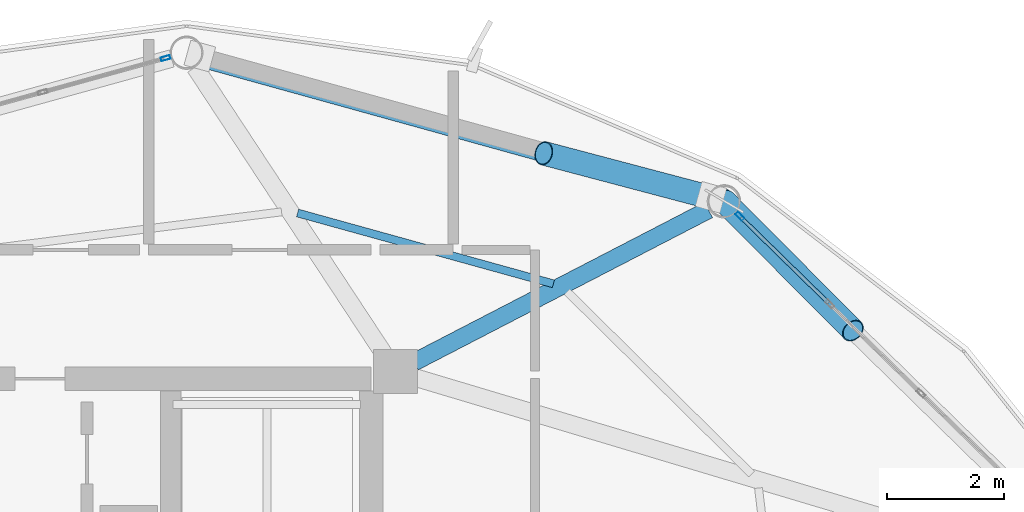
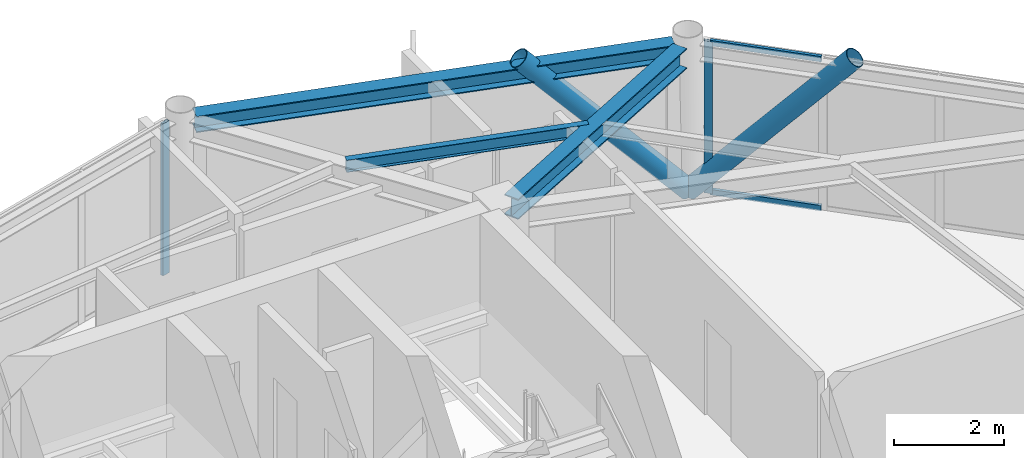
# One storey, part 20 of 27: 6 members, 3 beams, 2 elements without a shape of their own.
"""IFC4 building model written with IfcOpenShell, lengths in metres."""

import ifcopenshell
import ifcopenshell.guid

model = None  # the IFC model being written
_history = None  # IfcOwnerHistory: only IFC2X3 demands one
_inside = {}  # id of a spatial element -> (the spatial element, [elements in it])
_under = {}  # id of a project, library or spatial element -> (it, [spatial elements below it])
_declared = {}  # id of a project -> (the project, [libraries it declares])
_typed = {}  # id of a type object -> (the type object, [elements of that type])
_made_of = {}  # id of a material, layer set ... -> (it, [elements and type objects made of it])


def new_model(schema):
    """Start an empty IFC model of exactly this schema.

    Asked for "IFC4X3", IfcOpenShell would pick the latest addendum, in which some entities
    have other attributes; the version numbers below select the first issue.
    IFC2X3 requires an IfcOwnerHistory on every rooted entity: one is made here for all.
    """
    global model, _history
    if schema == "IFC4X3":
        model = ifcopenshell.file(schema_version=(4, 3, 0, 0))
    else:
        model = ifcopenshell.file(schema=schema)
    _inside.clear()
    _under.clear()
    _declared.clear()
    _typed.clear()
    _made_of.clear()
    _history = None
    if model.schema == "IFC2X3":
        org = make("IfcOrganization", Name="unknown")
        user = make(
            "IfcPersonAndOrganization",
            ThePerson=make("IfcPerson", FamilyName="unknown"),
            TheOrganization=org,
        )
        app = make(
            "IfcApplication",
            ApplicationDeveloper=org,
            Version="unknown",
            ApplicationFullName="unknown",
            ApplicationIdentifier="unknown",
        )
        _history = make(
            "IfcOwnerHistory",
            OwningUser=user,
            OwningApplication=app,
            ChangeAction="ADDED",
            CreationDate=0,
        )
    return model


def make(cls, **values):
    """One entity of the class cls with the attributes given. An attribute that is None is left unset."""
    return model.create_entity(
        cls, **{name: value for name, value in values.items() if value is not None}
    )


def rooted(cls, **values):
    """An entity with a GlobalId (a new one), such as an element, a storey or a relation."""
    return make(cls, GlobalId=ifcopenshell.guid.new(), OwnerHistory=_history, **values)


def si_unit(unit_type, name, prefix=None):
    """IfcSIUnit, for example si_unit("LENGTHUNIT", "METRE", prefix="MILLI")."""
    return make("IfcSIUnit", UnitType=unit_type, Prefix=prefix, Name=name)


def assignment(units):
    """IfcUnitAssignment: the units of a project."""
    return None if units is None else make("IfcUnitAssignment", Units=units)


def point(xyz):
    """IfcCartesianPoint."""
    return None if xyz is None else make("IfcCartesianPoint", Coordinates=xyz)


def direction(xyz):
    """IfcDirection."""
    return None if xyz is None else make("IfcDirection", DirectionRatios=xyz)


def frame(location, z_axis=None, x_axis=None):
    """IfcAxis2Placement3D, a coordinate frame: its origin and axes. An axis left out is left unset."""
    return make(
        "IfcAxis2Placement3D",
        Location=point(location),
        Axis=direction(z_axis),
        RefDirection=direction(x_axis),
    )


def frame_2d(location, x_axis=None):
    """IfcAxis2Placement2D, a coordinate frame in the plane: its origin and x axis."""
    return make(
        "IfcAxis2Placement2D", Location=point(location), RefDirection=direction(x_axis)
    )


def origin():
    """The frame at (0, 0, 0) with its axes left unset."""
    return frame((0.0, 0.0, 0.0))


def origin_2d():
    """The frame at (0, 0) in the plane with its x axis left unset."""
    return frame_2d((0.0, 0.0))


def place(relative_to, where):
    """IfcLocalPlacement: puts the frame where relative to a parent placement (None: the world)."""
    return make(
        "IfcLocalPlacement", PlacementRelTo=relative_to, RelativePlacement=where
    )


def context(
    kind, dimensions, precision=None, world=None, true_north=None, identifier=None
):
    """IfcGeometricRepresentationContext, for example the 3D "Model" context."""
    return make(
        "IfcGeometricRepresentationContext",
        ContextIdentifier=identifier,
        ContextType=kind,
        CoordinateSpaceDimension=dimensions,
        Precision=precision,
        WorldCoordinateSystem=world,
        TrueNorth=true_north,
    )


def subcontext(parent, identifier, kind, view, scale=None):
    """IfcGeometricRepresentationSubContext, for example "Body" below "Model"."""
    return make(
        "IfcGeometricRepresentationSubContext",
        ContextIdentifier=identifier,
        ContextType=kind,
        ParentContext=parent,
        TargetScale=scale,
        TargetView=view,
    )


def project(units=None, contexts=None):
    """IfcProject with its units and contexts."""
    return rooted(
        "IfcProject",
        Name="project",
        RepresentationContexts=contexts,
        UnitsInContext=assignment(units),
    )


def spatial(cls, under=None, at=None, **own):
    """A site, building, storey or space (cls), placed at a placement, below another one or the project."""
    s = rooted(cls, ObjectPlacement=at, **own)
    if under is not None:
        _under.setdefault(under.id(), (under, []))[1].append(s)
    return s


def profile(cls, at=None, kind="AREA", **sizes):
    """A parametric profile (cls). Its sizes go by their IFC names, for example OverallWidth=200.0."""
    return make(cls, ProfileType=kind, Position=at, **sizes)


def hollow_rectangle(**sizes):
    """IfcRectangleHollowProfileDef."""
    return profile("IfcRectangleHollowProfileDef", **sizes)


def hollow_circle(**sizes):
    """IfcCircleHollowProfileDef."""
    return profile("IfcCircleHollowProfileDef", **sizes)


def i_section(**sizes):
    """IfcIShapeProfileDef."""
    return profile("IfcIShapeProfileDef", **sizes)


def extrude(swept, where, along, depth):
    """IfcExtrudedAreaSolid: the profile swept, set in the frame where, extruded along a direction by depth."""
    return make(
        "IfcExtrudedAreaSolid",
        SweptArea=swept,
        Position=where,
        ExtrudedDirection=direction(along),
        Depth=depth,
    )


def shape(context_of_items, identifier, shape_type, items):
    """IfcShapeRepresentation: the items that make up one representation, for example the "Body"."""
    return make(
        "IfcShapeRepresentation",
        ContextOfItems=context_of_items,
        RepresentationIdentifier=identifier,
        RepresentationType=shape_type,
        Items=items,
    )


def material(Name=None, Category=None):
    """IfcMaterial."""
    return make("IfcMaterial", Name=Name, Category=Category)


def layer(
    of_material, thickness, ventilated=None, Name=None, Category=None, Priority=None
):
    """IfcMaterialLayer: one layer of a wall or slab, of a material (None: an air gap)."""
    return make(
        "IfcMaterialLayer",
        Material=of_material,
        LayerThickness=thickness,
        IsVentilated=ventilated,
        Name=Name,
        Category=Category,
        Priority=Priority,
    )


def layer_set(layers, Name=None):
    """IfcMaterialLayerSet."""
    return make("IfcMaterialLayerSet", MaterialLayers=layers, LayerSetName=Name)


def material_profile(
    of_material, cross_section, Name=None, Category=None, Priority=None
):
    """IfcMaterialProfile: a cross section and its material."""
    return make(
        "IfcMaterialProfile",
        Name=Name,
        Material=of_material,
        Profile=cross_section,
        Priority=Priority,
        Category=Category,
    )


def profile_set(profiles, Name=None, composite=None):
    """IfcMaterialProfileSet."""
    return make(
        "IfcMaterialProfileSet",
        Name=Name,
        MaterialProfiles=profiles,
        CompositeProfile=composite,
    )


def made_of(thing, what):
    """Note that an element or type object is made of a material, layer set ...; save() writes the relation."""
    if what is not None:
        _made_of.setdefault(what.id(), (what, []))[1].append(thing)
    return thing


def type_object(cls, material=None, **own):
    """A type object (cls), such as IfcWallType, which elements share."""
    return made_of(rooted(cls, **own), material)


def element(
    cls,
    number,
    at=None,
    inside=None,
    cuts=None,
    type_object=None,
    material=None,
    context=None,
    identifier="Body",
    shape_type=None,
    held_by="IfcProductDefinitionShape",
    body=None,
    shapes=None,
    **own,
):
    """One element of the class cls, such as IfcWall. Its Tag is "e" and its number.

    at: its placement. inside: the storey or other place that contains it. cuts: it is an
    opening in that element (IfcRelVoidsElement). A single representation is given by context,
    identifier, shape_type and body (its items); several are given by shapes. held_by: the class
    of the entity that holds the representations. save() writes the other relations.
    """
    e = rooted(cls, Tag="e%d" % number, ObjectPlacement=at, **own)
    if body is not None:
        shapes = [shape(context, identifier, shape_type, body)]
    if shapes is not None:
        e.Representation = make(held_by, Representations=shapes)
    if inside is not None:
        _inside.setdefault(inside.id(), (inside, []))[1].append(e)
    if cuts is not None:
        rooted(
            "IfcRelVoidsElement", RelatingBuildingElement=cuts, RelatedOpeningElement=e
        )
    if type_object is not None:
        _typed.setdefault(type_object.id(), (type_object, []))[1].append(e)
    return made_of(e, material)


def aggregate(whole, parts):
    """IfcRelAggregates: a whole, such as a stair, and the parts it consists of."""
    return rooted("IfcRelAggregates", RelatingObject=whole, RelatedObjects=parts)


def save(model, path):
    """Write the relations noted so far, then the file.

    IfcRelAggregates (storeys below a building ...), IfcRelContainedInSpatialStructure (elements
    in a storey), IfcRelDefinesByType, IfcRelAssociatesMaterial and IfcRelDeclares: one each for
    every whole, place, type object, material and project.
    """
    for whole, parts in _under.values():
        aggregate(whole, parts)
    for where, things in _inside.values():
        rooted(
            "IfcRelContainedInSpatialStructure",
            RelatedElements=things,
            RelatingStructure=where,
        )
    for kind, things in _typed.values():
        rooted("IfcRelDefinesByType", RelatedObjects=things, RelatingType=kind)
    for what, things in _made_of.values():
        rooted("IfcRelAssociatesMaterial", RelatedObjects=things, RelatingMaterial=what)
    for by, libraries in _declared.values():
        rooted("IfcRelDeclares", RelatingContext=by, RelatedDefinitions=libraries)
    model.write(path)


model = new_model("IFC4")

# Units and contexts
model_context = context("Model", 3, precision=1e-05, world=origin(), true_north=direction((0.0, 1.0)))
body_context = subcontext(model_context, "Body", "Model", "MODEL_VIEW")
ifc_project = project(units=[si_unit("LENGTHUNIT", "METRE"), si_unit("AREAUNIT", "SQUARE_METRE"), si_unit("VOLUMEUNIT", "CUBIC_METRE"), si_unit("PLANEANGLEUNIT", "RADIAN"), si_unit("MASSUNIT", "GRAM", prefix="KILO")], contexts=[model_context])

# Site, building, storey
site_placement = place(None, origin())
site = spatial("IfcSite", under=ifc_project, at=site_placement, CompositionType="ELEMENT")
building_placement = place(site_placement, origin())
building = spatial("IfcBuilding", under=site, at=building_placement, Name="Varnakorn Sky Granary", CompositionType="ELEMENT")
storey_placement = place(building_placement, frame((0.0, 0.0, 249.0)))
storey = spatial("IfcBuildingStorey", under=building, at=storey_placement, Name="L63", CompositionType="ELEMENT", Elevation=249.0)

# Beams
ifc_material_1 = material(Name="Steel S355JR", Category="steel")
ifc_material_profile_1 = material_profile(ifc_material_1, i_section(OverallWidth=0.300048828125, OverallDepth=0.449951171875, WebThickness=0.013916015625, FlangeThickness=0.02587890625, at=origin_2d()), Name="HE 450 B")
ifc_profile_set_1 = profile_set([ifc_material_profile_1], Name="Steel S355JR")
beam_type_1 = type_object("IfcBeamType", Name="BM-RAD-Z5", PredefinedType="BEAM", material=ifc_profile_set_1)
beam_1_placement = place(storey_placement, frame((8.7353515625, 12.783203125, 3.135009765625), z_axis=(0.888136884607, 0.459579018452, 0.0), x_axis=(-0.459579018452, 0.888136884607, 0.0)))
element("IfcBeam", 1, at=beam_1_placement, inside=storey, type_object=beam_type_1, Name="Radial Floor Girder RG03 L63", PredefinedType="BEAM", context=body_context, shape_type="SweptSolid", body=[
    extrude(i_section(OverallWidth=0.300048828125, OverallDepth=0.449951171875, WebThickness=0.013916015625, FlangeThickness=0.02587890625, at=origin_2d()), origin(), (0.0, 0.0, 1.0), 5.65869140625),
])
ifc_material_profile_2 = material_profile(ifc_material_1, i_section(OverallWidth=0.135009765625, OverallDepth=0.27001953125, WebThickness=0.006591796875, FlangeThickness=0.01025390625, at=origin_2d()), Name="IPE 270")
ifc_profile_set_2 = profile_set([ifc_material_profile_2], Name="Steel S355JR")
beam_type_2 = type_object("IfcBeamType", Name="BM-SEC-Z5", PredefinedType="BEAM", material=ifc_profile_set_2)
beam_2_placement = place(storey_placement, frame((11.11328125, 14.12060546875, 3.22509765625), z_axis=(-0.963739825498, 0.266843678489, 0.0), x_axis=(-0.266843678489, -0.963739825498, 0.0)))
element("IfcBeam", 2, at=beam_2_placement, inside=storey, type_object=beam_type_2, Name="Secondary Floor Chord Beam MSB03 L63", PredefinedType="BEAM", context=body_context, shape_type="SweptSolid", body=[
    extrude(i_section(OverallWidth=0.135009765625, OverallDepth=0.27001953125, WebThickness=0.006591796875, FlangeThickness=0.01025390625, at=origin_2d()), origin(), (0.0, 0.0, 1.0), 4.532470703125),
])
ifc_material_profile_3 = material_profile(ifc_material_1, i_section(OverallWidth=0.300048828125, OverallDepth=0.360107421875, WebThickness=0.012451171875, FlangeThickness=0.0224609375, at=origin_2d()), Name="HE 360 B")
ifc_profile_set_3 = profile_set([ifc_material_profile_3], Name="Steel S355JR")
beam_type_3 = type_object("IfcBeamType", Name="BM-SPD-Z5", PredefinedType="SPANDREL", material=ifc_profile_set_3)
beam_3_placement = place(storey_placement, frame((13.7412109375, 15.575927734375, 3.179931640625), z_axis=(-0.963701126096, 0.266983406902, 0.0), x_axis=(-0.266983406902, -0.963701126096, 0.0)))
element("IfcBeam", 3, at=beam_3_placement, inside=storey, type_object=beam_type_3, Name="Perimeter Spandrel Ring Beam RB03 L63", PredefinedType="SPANDREL", context=body_context, shape_type="SweptSolid", body=[
    extrude(i_section(OverallWidth=0.300048828125, OverallDepth=0.360107421875, WebThickness=0.012451171875, FlangeThickness=0.0224609375, at=origin_2d()), origin(), (0.0, 0.0, 1.0), 8.96142578125),
])

# Curtain wall, member
ifc_material_2 = material(Name="Anodised Bronze Aluminium Alloy 6063-T6", Category="aluminium")
ifc_layer = layer(ifc_material_2, 0.159912109375, Name="Anodised Bronze Aluminium Alloy 6063-T6")
ifc_layer_set = layer_set([ifc_layer], Name="Anodised Bronze Aluminium Alloy 6063-T6")
curtain_wall_type = type_object("IfcCurtainWallType", Name="CW-OFF-1", PredefinedType="USERDEFINED", material=ifc_layer_set)
curtain_wall_1_placement = place(storey_placement, origin())
curtain_wall_1 = element("IfcCurtainWall", 4, at=curtain_wall_1_placement, inside=storey, type_object=curtain_wall_type, Name="Unitised Curtain Wall CW6 CW-L63-B02", ObjectType="CURTAIN WALL", PredefinedType="USERDEFINED")
ifc_material_profile_4 = material_profile(ifc_material_2, hollow_rectangle(XDim=0.06494140625, YDim=0.159912109375, WallThickness=0.00341796875, at=origin_2d()), Name="ALU MULL 65x160")
ifc_profile_set_4 = profile_set([ifc_material_profile_4], Name="Anodised Bronze Aluminium Alloy 6063-T6")
member_type_1 = type_object("IfcMemberType", Name="CW-OFF-1-MULL", PredefinedType="MULLION", material=ifc_profile_set_4)
member_1_placement = place(storey_placement, frame((14.296142578125, 15.27490234375, 0.0), z_axis=(0.0, 0.0, 1.0), x_axis=(0.698832913663, 0.71528494936, 0.0)))
member_1 = element("IfcMember", 5, at=member_1_placement, type_object=member_type_1, Name="CW6 mullion 1", PredefinedType="MULLION", context=body_context, shape_type="SweptSolid", body=[
    extrude(hollow_rectangle(XDim=0.06494140625, YDim=0.159912109375, WallThickness=0.00341796875, at=origin_2d()), origin(), (0.0, 0.0, 1.0), 3.360107421875),
])

curtain_wall_2_placement = place(storey_placement, origin())
curtain_wall_2 = element("IfcCurtainWall", 6, at=curtain_wall_2_placement, inside=storey, type_object=curtain_wall_type, Name="Unitised Curtain Wall CW6 CW-L63-B04", ObjectType="CURTAIN WALL", PredefinedType="USERDEFINED")
member_2_placement = place(storey_placement, frame((4.491455078125, 17.973876953125, 0.0), z_axis=(0.0, 0.0, 1.0), x_axis=(-0.266486844753, 0.963838555762, 0.0)))
member_2 = element("IfcMember", 7, at=member_2_placement, type_object=member_type_1, Name="CW6 mullion 5", PredefinedType="MULLION", context=body_context, shape_type="SweptSolid", body=[
    extrude(hollow_rectangle(XDim=0.06494140625, YDim=0.159912109375, WallThickness=0.00341796875, at=origin_2d()), origin(), (0.0, 0.0, 1.0), 3.360107421875),
])
aggregate(curtain_wall_2, [member_2])

# Member
ifc_material_profile_5 = material_profile(ifc_material_2, hollow_rectangle(XDim=0.06494140625, YDim=0.1201171875, WallThickness=0.00341796875, at=origin_2d()), Name="ALU TRAN 65x120")
ifc_profile_set_5 = profile_set([ifc_material_profile_5], Name="Anodised Bronze Aluminium Alloy 6063-T6")
member_type_2 = type_object("IfcMemberType", Name="CW-OFF-1-TRAN", PredefinedType="USERDEFINED", material=ifc_profile_set_5)
member_3_placement = place(storey_placement, frame((14.3193359375, 15.252197265625, 0.032470703125), z_axis=(0.715211185999, -0.698908405603, 0.0), x_axis=(0.698908405603, 0.715211185999, 0.0)))
member_3 = element("IfcMember", 8, at=member_3_placement, type_object=member_type_2, Name="CW6 transom 1.1", ObjectType="TRANSOM", PredefinedType="USERDEFINED", context=body_context, shape_type="SweptSolid", body=[
    extrude(hollow_rectangle(XDim=0.06494140625, YDim=0.1201171875, WallThickness=0.00341796875, at=origin_2d()), origin(), (0.0, 0.0, 1.0), 2.08154296875),
])

member_4_placement = place(storey_placement, frame((14.3193359375, 15.252197265625, 3.327392578125), z_axis=(0.715211185999, -0.698908405603, 0.0), x_axis=(0.698908405603, 0.715211185999, 0.0)))
member_4 = element("IfcMember", 9, at=member_4_placement, type_object=member_type_2, Name="CW6 transom 1.2", ObjectType="TRANSOM", PredefinedType="USERDEFINED", context=body_context, shape_type="SweptSolid", body=[
    extrude(hollow_rectangle(XDim=0.06494140625, YDim=0.1201171875, WallThickness=0.00341796875, at=origin_2d()), origin(), (0.0, 0.0, 1.0), 2.08154296875),
])

aggregate(curtain_wall_1, [member_1, member_3, member_4])

# Members
ifc_material_3 = material(Name="Steel S460M", Category="steel")
ifc_material_profile_6 = material_profile(ifc_material_3, hollow_circle(Radius=0.203125, WallThickness=0.01611328125, at=origin_2d()), Name="CHS 406.4x16")
ifc_profile_set_6 = profile_set([ifc_material_profile_6], Name="Steel S460M")
member_type_3 = type_object("IfcMemberType", Name="MB-DIAG-T4", PredefinedType="BRACE", material=ifc_profile_set_6)
member_5_placement = place(storey_placement, frame((14.030029296875, 15.534912109375, 0.0), z_axis=(0.469497906983, -0.47299228154, 0.745553497036), x_axis=(0.709723570726, 0.704480271659, 0.0)))
element("IfcMember", 10, at=member_5_placement, inside=storey, type_object=member_type_3, Name="Perimeter CHS Diagrid Brace DG02 L63", PredefinedType="BRACE", context=body_context, shape_type="SweptSolid", body=[
    extrude(hollow_circle(Radius=0.203125, WallThickness=0.01611328125, at=origin_2d()), origin(), (0.0, 0.0, 1.0), 4.68115234375),
])
member_6_placement = place(storey_placement, frame((14.030029296875, 15.534912109375, 0.0), z_axis=(-0.652115997079, 0.17238957775, 0.738259141384), x_axis=(-0.25557477289, -0.966789292174, 0.0)))
element("IfcMember", 11, at=member_6_placement, inside=storey, type_object=member_type_3, Name="Perimeter CHS Diagrid Brace DG03 L63", PredefinedType="BRACE", context=body_context, shape_type="SweptSolid", body=[
    extrude(hollow_circle(Radius=0.203125, WallThickness=0.01611328125, at=origin_2d()), origin(), (0.0, 0.0, 1.0), 4.727294921875),
])

save(model, "model.ifc")
